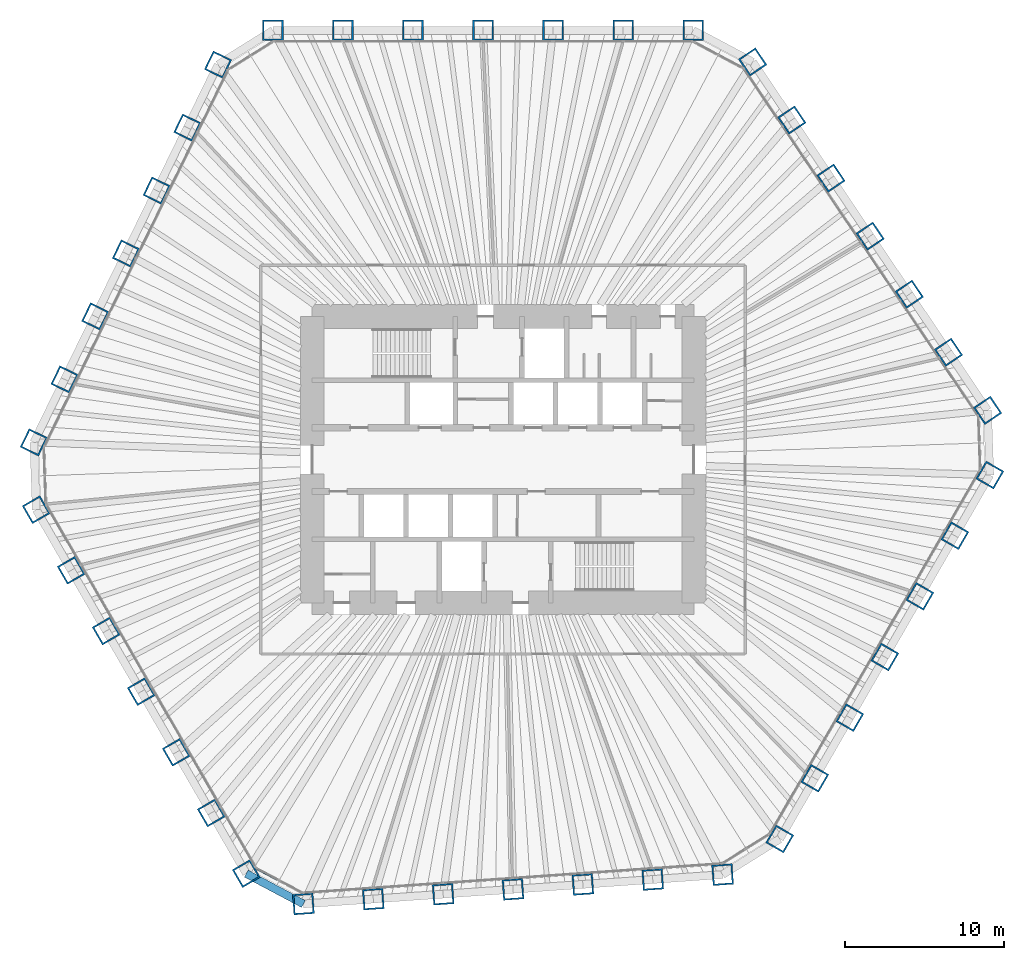
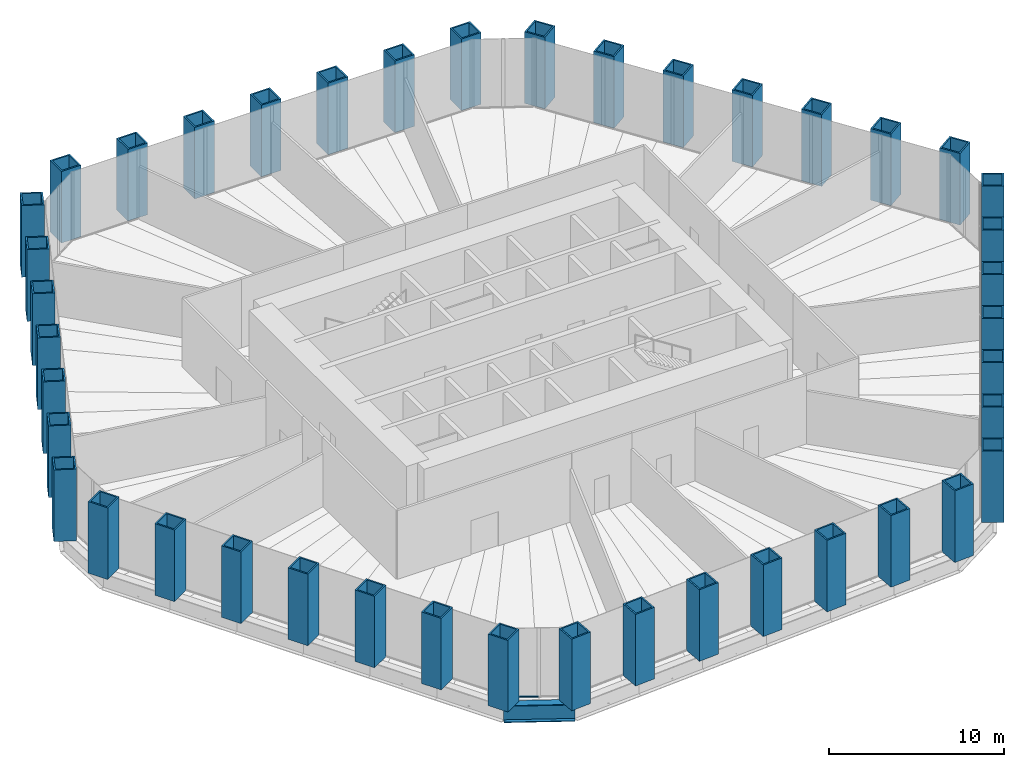
# One storey, part 1 of 13: 42 columns, 1 beam, 1 member, 1 element without a shape of its own.
"""IFC4 building model written with IfcOpenShell, lengths in metres."""

from ifc_helpers import new_model, si_unit, direction, frame, origin, origin_2d, place, context, subcontext, project, spatial, rectangle, hollow_rectangle, i_section, extrude, material, material_profile, profile_set, type_object, element, aggregate, save


model = new_model("IFC4")

# Units and contexts
model_context = context("Model", 3, precision=1e-05, world=origin(), true_north=direction((0.0, 1.0)))
body_context = subcontext(model_context, "Body", "Model", "MODEL_VIEW")
ifc_project = project(units=[si_unit("LENGTHUNIT", "METRE"), si_unit("AREAUNIT", "SQUARE_METRE"), si_unit("VOLUMEUNIT", "CUBIC_METRE"), si_unit("PLANEANGLEUNIT", "RADIAN"), si_unit("MASSUNIT", "GRAM", prefix="KILO")], contexts=[model_context])

# Site, building, storey
site_placement = place(None, origin())
site = spatial("IfcSite", under=ifc_project, at=site_placement, CompositionType="ELEMENT")
building_placement = place(site_placement, origin())
building = spatial("IfcBuilding", under=site, at=building_placement, Name="Qingtian Harvest Tower", CompositionType="ELEMENT")
storey_placement = place(building_placement, frame((0.0, 0.0, 27.0)))
storey = spatial("IfcBuildingStorey", under=building, at=storey_placement, Name="L05", CompositionType="ELEMENT", Elevation=27.0)

# Columns
ifc_material_1 = material(Name="Steel SM570MC", Category="steel")
ifc_material_profile_1 = material_profile(ifc_material_1, hollow_rectangle(XDim=1.300048828125, YDim=1.300048828125, WallThickness=0.10009765625, at=origin_2d()), Name="BOX1300x1300x100")
ifc_profile_set_1 = profile_set([ifc_material_profile_1], Name="Steel SM570MC")
column_type = type_object("IfcColumnType", Name="Tube column TC1 BOX1300x1300x100", PredefinedType="COLUMN", material=ifc_profile_set_1)
for number, where, z_axis, x_axis, name in (
    (1, (-14.471435546875, 27.0, 0.0), (0.0, 0.0, 1.0), (-1.0, 0.0, 0.0), "Tube column TC1 N0"),
    (2, (-10.06689453125, 27.0, 0.0), (0.0, 0.0, 1.0), (-1.0, 0.0, 0.0), "Tube column TC1 N1"),
    (3, (-5.662353515625, 27.0, 0.0), (0.0, 0.0, 1.0), (-1.0, 0.0, 0.0), "Tube column TC1 N2"),
    (4, (-1.257568359375, 27.0, 0.0), (0.0, 0.0, 1.0), (-1.0, 0.0, 0.0), "Tube column TC1 N3"),
    (5, (3.14697265625, 27.0, 0.0), (0.0, 0.0, 1.0), (-1.0, 0.0, 0.0), "Tube column TC1 N4"),
    (6, (7.551513671875, 27.0, 0.0), (0.0, 0.0, 1.0), (-1.0, 0.0, 0.0), "Tube column TC1 N5"),
    (7, (11.9560546875, 27.0, 0.0), (0.0, 0.0, 1.0), (-1.0, 0.0, 0.0), "Tube column TC1 N6"),
    (8, (15.6982421875, 25.01025390625, 0.0), (0.0, 0.0, 1.0), (-0.559192903471, 0.829037572555, 0.0), "Tube column TC1 NE0"),
    (9, (18.1611328125, 21.358642578125, 0.0), (0.0, 0.0, 1.0), (-0.559192903471, 0.829037572555, 0.0), "Tube column TC1 NE1"),
    (10, (20.624267578125, 17.70703125, 0.0), (0.0, 0.0, 1.0), (-0.559192903471, 0.829037572555, 0.0), "Tube column TC1 NE2"),
    (11, (23.08740234375, 14.0556640625, 0.0), (0.0, 0.0, 1.0), (-0.559192903471, 0.829037572555, 0.0), "Tube column TC1 NE3"),
    (12, (25.55029296875, 10.404052734375, 0.0), (0.0, 0.0, 1.0), (-0.559192903471, 0.829037572555, 0.0), "Tube column TC1 NE4"),
    (13, (28.013427734375, 6.75244140625, 0.0), (0.0, 0.0, 1.0), (-0.559192903471, 0.829037572555, 0.0), "Tube column TC1 NE5"),
    (14, (30.476318359375, 3.100830078125, 0.0), (0.0, 0.0, 1.0), (-0.559192903471, 0.829037572555, 0.0), "Tube column TC1 NE6"),
    (15, (30.618408203125, -0.96728515625, 0.0), (0.0, 0.0, 1.0), (0.5, 0.866025403784, 0.0), "Tube column TC1 SE0"),
    (16, (28.416015625, -4.78173828125, 0.0), (0.0, 0.0, 1.0), (0.5, 0.866025403784, 0.0), "Tube column TC1 SE1"),
    (17, (26.2138671875, -8.596435546875, 0.0), (0.0, 0.0, 1.0), (0.5, 0.866025403784, 0.0), "Tube column TC1 SE2"),
    (18, (24.011474609375, -12.410888671875, 0.0), (0.0, 0.0, 1.0), (0.5, 0.866025403784, 0.0), "Tube column TC1 SE3"),
    (19, (21.809326171875, -16.225341796875, 0.0), (0.0, 0.0, 1.0), (0.5, 0.866025403784, 0.0), "Tube column TC1 SE4"),
    (20, (19.60693359375, -20.039794921875, 0.0), (0.0, 0.0, 1.0), (0.5, 0.866025403784, 0.0), "Tube column TC1 SE5"),
    (21, (17.404541015625, -23.854248046875, 0.0), (0.0, 0.0, 1.0), (0.5, 0.866025403784, 0.0), "Tube column TC1 SE6"),
    (22, (13.810546875, -26.10009765625, 0.0), (0.0, 0.0, 1.0), (0.99756405026, 0.069756473744, 0.0), "Tube column TC1 S0"),
    (23, (9.41650390625, -26.407470703125, 0.0), (0.0, 0.0, 1.0), (0.99756405026, 0.069756473744, 0.0), "Tube column TC1 S1"),
    (24, (5.022705078125, -26.714599609375, 0.0), (0.0, 0.0, 1.0), (0.99756405026, 0.069756473744, 0.0), "Tube column TC1 S2"),
    (25, (0.62890625, -27.02197265625, 0.0), (0.0, 0.0, 1.0), (0.99756405026, 0.069756473744, 0.0), "Tube column TC1 S3"),
    (26, (-3.76513671875, -27.3291015625, 0.0), (0.0, 0.0, 1.0), (0.99756405026, 0.069756473744, 0.0), "Tube column TC1 S4"),
    (27, (-8.158935546875, -27.636474609375, 0.0), (0.0, 0.0, 1.0), (0.99756405026, 0.069756473744, 0.0), "Tube column TC1 S5"),
    (28, (-12.552734375, -27.943603515625, 0.0), (0.0, 0.0, 1.0), (0.99756405026, 0.069756473744, 0.0), "Tube column TC1 S6"),
    (29, (-16.14697265625, -26.03271484375, 0.0), (0.0, 0.0, 1.0), (0.5, -0.866025403784, 0.0), "Tube column TC1 SW0"),
    (30, (-18.349365234375, -22.21826171875, 0.0), (0.0, 0.0, 1.0), (0.5, -0.866025403784, 0.0), "Tube column TC1 SW1"),
    (31, (-20.551513671875, -18.403564453125, 0.0), (0.0, 0.0, 1.0), (0.5, -0.866025403784, 0.0), "Tube column TC1 SW2"),
    (32, (-22.75390625, -14.589111328125, 0.0), (0.0, 0.0, 1.0), (0.5, -0.866025403784, 0.0), "Tube column TC1 SW3"),
    (33, (-24.9560546875, -10.774658203125, 0.0), (0.0, 0.0, 1.0), (0.5, -0.866025403784, 0.0), "Tube column TC1 SW4"),
    (34, (-27.158447265625, -6.960205078125, 0.0), (0.0, 0.0, 1.0), (0.5, -0.866025403784, 0.0), "Tube column TC1 SW5"),
    (35, (-29.36083984375, -3.145751953125, 0.0), (0.0, 0.0, 1.0), (0.5, -0.866025403784, 0.0), "Tube column TC1 SW6"),
    (36, (-29.5087890625, 1.08984375, 0.0), (0.0, 0.0, 1.0), (-0.438371146789, -0.898794046299, 0.0), "Tube column TC1 NW0"),
    (37, (-27.577880859375, 5.048828125, 0.0), (0.0, 0.0, 1.0), (-0.438371146789, -0.898794046299, 0.0), "Tube column TC1 NW1"),
    (38, (-25.64697265625, 9.007568359375, 0.0), (0.0, 0.0, 1.0), (-0.438371146789, -0.898794046299, 0.0), "Tube column TC1 NW2"),
    (39, (-23.716064453125, 12.96630859375, 0.0), (0.0, 0.0, 1.0), (-0.438371146789, -0.898794046299, 0.0), "Tube column TC1 NW3"),
    (40, (-21.78515625, 16.92529296875, 0.0), (0.0, 0.0, 1.0), (-0.438371146789, -0.898794046299, 0.0), "Tube column TC1 NW4"),
    (41, (-19.8544921875, 20.884033203125, 0.0), (0.0, 0.0, 1.0), (-0.438371146789, -0.898794046299, 0.0), "Tube column TC1 NW5"),
    (42, (-17.923583984375, 24.8427734375, 0.0), (0.0, 0.0, 1.0), (-0.438371146789, -0.898794046299, 0.0), "Tube column TC1 NW6"),
):
    element("IfcColumn", number, at=place(storey_placement, frame(where, z_axis=z_axis, x_axis=x_axis)), inside=storey, type_object=column_type, Name=name, PredefinedType="COLUMN", context=body_context, shape_type="SweptSolid", body=[
        extrude(hollow_rectangle(XDim=1.300048828125, YDim=1.300048828125, WallThickness=0.10009765625, at=origin_2d()), origin(), (0.0, 0.0, 1.0), 5.0),
    ])

# Beam
ifc_material_2 = material(Name="Steel SM570MC", Category="steel")
ifc_material_profile_2 = material_profile(ifc_material_2, i_section(OverallWidth=0.5, OverallDepth=1.199951171875, WebThickness=0.02490234375, FlangeThickness=0.050048828125, at=origin_2d()), Name="H1200x500x25x50")
ifc_profile_set_2 = profile_set([ifc_material_profile_2], Name="Steel SM570MC")
beam_type = type_object("IfcBeamType", Name="Spandrel beam SB1 H1200x500x25x50", PredefinedType="SPANDREL", material=ifc_profile_set_2)
beam_placement = place(storey_placement, frame((-12.552734375, -27.943603515625, -0.60009765625), z_axis=(-0.882968133669, 0.469432929101, 0.0), x_axis=(-0.469432929101, -0.882968133669, 0.0)))
element("IfcBeam", 43, at=beam_placement, inside=storey, type_object=beam_type, Name="Spandrel SB1 SC", PredefinedType="SPANDREL", context=body_context, shape_type="SweptSolid", body=[
    extrude(i_section(OverallWidth=0.5, OverallDepth=1.199951171875, WebThickness=0.02490234375, FlangeThickness=0.050048828125, at=origin_2d()), origin(), (0.0, 0.0, 1.0), 4.070556640625),
])

# Curtain wall, member
ifc_material_3 = material(Name="Bronze-anodised aluminium curtain wall", Category="aluminium")
curtain_wall_type = type_object("IfcCurtainWallType", Name="Curtain wall CW2 farm reception", PredefinedType="USERDEFINED", material=ifc_material_3)
curtain_wall_placement = place(storey_placement, origin())
curtain_wall = element("IfcCurtainWall", 44, at=curtain_wall_placement, inside=storey, type_object=curtain_wall_type, Name="Curtain wall CW2 L05 SC", ObjectType="RECESSED CURTAIN WALL", PredefinedType="USERDEFINED")
ifc_material_4 = material(Name="Bronze-anodised aluminium transom", Category="aluminium")
ifc_material_profile_3 = material_profile(ifc_material_4, rectangle(XDim=0.14990234375, YDim=0.06494140625, at=origin_2d()), Name="AL 65x150")
ifc_profile_set_3 = profile_set([ifc_material_profile_3], Name="Bronze-anodised aluminium transom")
member_type = type_object("IfcMemberType", Name="Transom CWT 65x150", PredefinedType="USERDEFINED", material=ifc_profile_set_3)
member_placement = place(storey_placement, frame((-14.099853515625, -26.44873046875, 0.032470703125), z_axis=(-0.882960338349, 0.46944759122, 0.0), x_axis=(-0.46944759122, -0.882960338349, 0.0)))
member = element("IfcMember", 45, at=member_placement, type_object=member_type, Name="CW2 transom 2.1", ObjectType="TRANSOM", PredefinedType="USERDEFINED", context=body_context, shape_type="SweptSolid", body=[
    extrude(rectangle(XDim=0.14990234375, YDim=0.06494140625, at=origin_2d()), origin(), (0.0, 0.0, 1.0), 1.56689453125),
])
aggregate(curtain_wall, [member])

save(model, "model.ifc")
